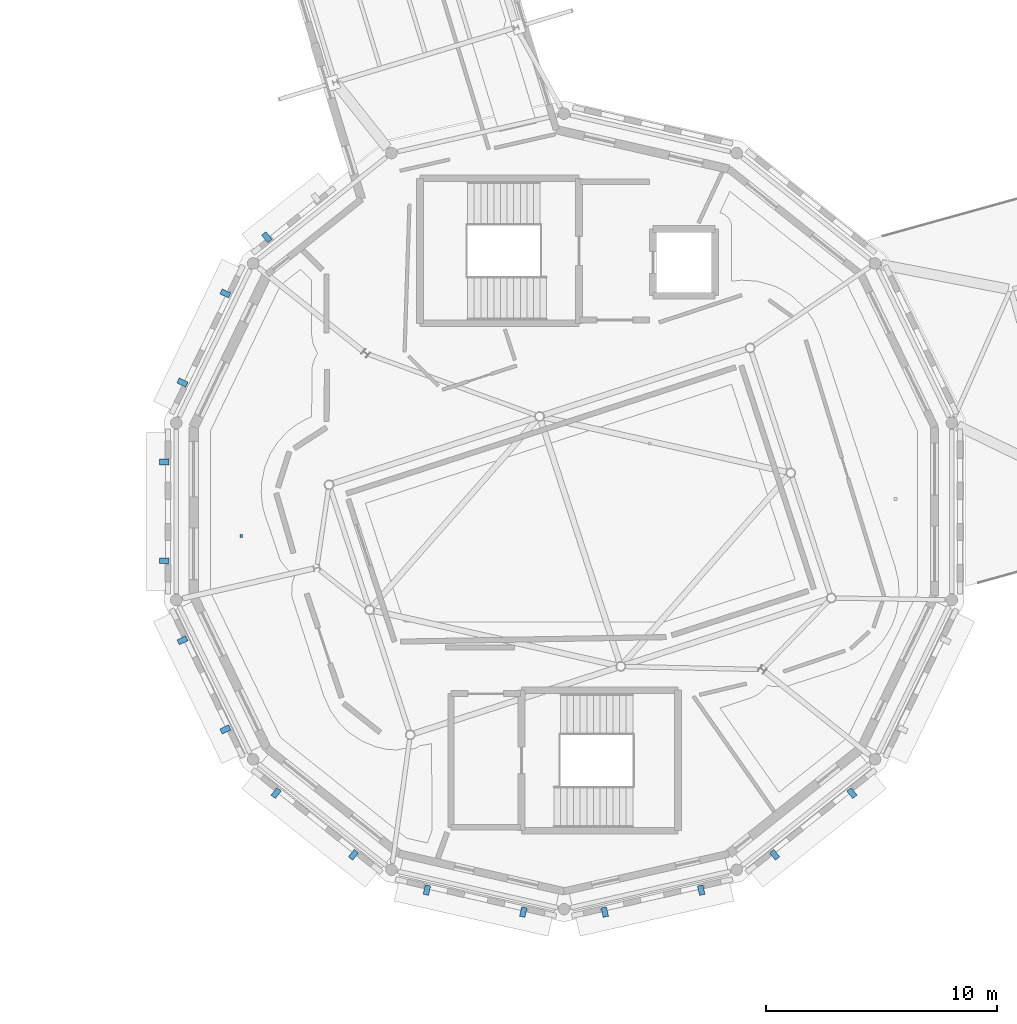
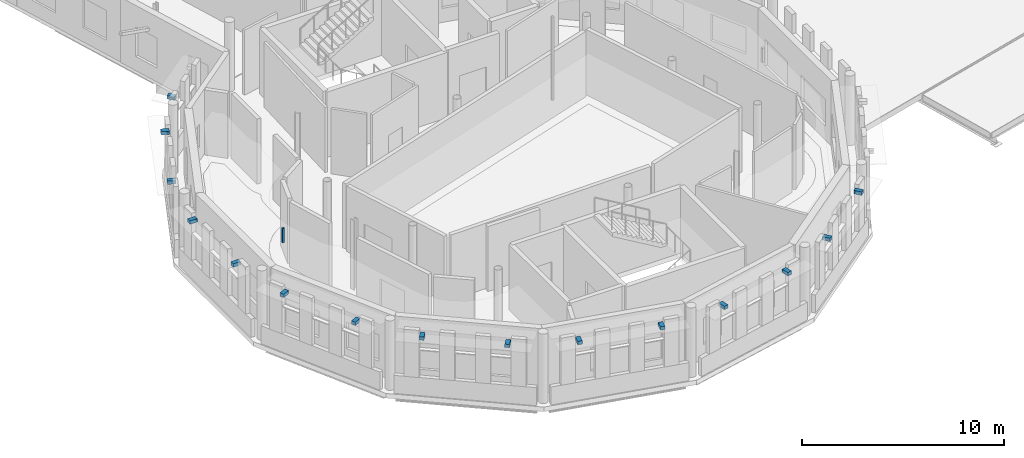
# One storey, part 76 of 90: 16 discrete accessories.
"""IFC4 building model written with IfcOpenShell, lengths in metres."""

from ifc_helpers import new_model, si_unit, direction, frame, origin, origin_2d, place, context, subcontext, project, spatial, rectangle, extrude, material, type_object, element, save


model = new_model("IFC4")

# Units and contexts
model_context = context("Model", 3, precision=1e-05, world=origin(), true_north=direction((0.0, 1.0)))
body_context = subcontext(model_context, "Body", "Model", "MODEL_VIEW")
ifc_project = project(units=[si_unit("LENGTHUNIT", "METRE"), si_unit("AREAUNIT", "SQUARE_METRE"), si_unit("VOLUMEUNIT", "CUBIC_METRE"), si_unit("PLANEANGLEUNIT", "RADIAN"), si_unit("MASSUNIT", "GRAM", prefix="KILO")], contexts=[model_context])

# Site, building, storey
site_placement = place(None, origin())
site = spatial("IfcSite", under=ifc_project, at=site_placement, CompositionType="ELEMENT")
building_placement = place(site_placement, origin())
building = spatial("IfcBuilding", under=site, at=building_placement, Name="Wrenclough Park School", CompositionType="ELEMENT")
storey_placement = place(building_placement, frame((0.0, 0.0, 8.39990234375)))
storey = spatial("IfcBuildingStorey", under=building, at=storey_placement, Name="L02", CompositionType="ELEMENT", Elevation=8.39990234375)

# Discrete accessories
ifc_material_1 = material(Name="Austenitic stainless steel Grade 1.4401", Category="steel")
discrete_accessory_type_1 = type_object("IfcDiscreteAccessoryType", Name="ENV-BRK-01", PredefinedType="BRACKET", material=ifc_material_1)
for number, where, z_axis, x_axis, name in (
    (1, (23.609375, 35.390625, 3.5400390625), (0.0, 0.0, 1.0), (-0.781831365405, -0.623489948652, 0.0), "Brise-soleil stainless outrigger bracket 0100"),
    (2, (21.81298828125, 32.952392578125, 3.5400390625), (0.0, 0.0, 1.0), (-0.43387157134, -0.900974727494, 0.0), "Brise-soleil stainless outrigger bracket 0101"),
    (3, (19.952392578125, 29.0888671875, 3.5400390625), (0.0, 0.0, 1.0), (-0.43387157134, -0.900974727494, 0.0), "Brise-soleil stainless outrigger bracket 0102"),
    (4, (19.166259765625, 25.643798828125, 3.5400390625), (0.0, 0.0, 1.0), (0.0, -1.0, 0.0), "Brise-soleil stainless outrigger bracket 0103"),
    (5, (19.166259765625, 21.356201171875, 3.5400390625), (0.0, 0.0, 1.0), (0.0, -1.0, 0.0), "Brise-soleil stainless outrigger bracket 0104"),
    (6, (19.952392578125, 17.9111328125, 3.5400390625), (0.0, 0.0, 1.0), (0.433882929518, -0.900969257785, 0.0), "Brise-soleil stainless outrigger bracket 0105"),
    (7, (21.81298828125, 14.047607421875, 3.5400390625), (0.0, 0.0, 1.0), (0.433882929518, -0.900969257785, 0.0), "Brise-soleil stainless outrigger bracket 0106"),
    (8, (24.015869140625, 11.284912109375, 3.5400390625), (0.0, 0.0, 1.0), (0.781831588169, -0.623489669314, 0.0), "Brise-soleil stainless outrigger bracket 0107"),
    (9, (27.36865234375, 8.611083984375, 3.5400390625), (0.0, 0.0, 1.0), (0.781831588169, -0.623489669314, 0.0), "Brise-soleil stainless outrigger bracket 0108"),
    (10, (30.55224609375, 7.078125, 3.5400390625), (0.0, 0.0, 1.0), (0.97492627853, -0.222528091331, 0.0), "Brise-soleil stainless outrigger bracket 0109"),
    (11, (34.733154296875, 6.123779296875, 3.5400390625), (0.0, 0.0, 1.0), (0.97492627853, -0.222528091331, 0.0), "Brise-soleil stainless outrigger bracket 0110"),
    (12, (38.2666015625, 6.123779296875, 3.5400390625), (0.0, 0.0, 1.0), (0.974929149471, 0.222515512969, 0.0), "Brise-soleil stainless outrigger bracket 0111"),
    (13, (42.447021484375, 7.077880859375, 3.5400390625), (0.0, 0.0, 1.0), (0.974929149471, 0.222515512969, 0.0), "Brise-soleil stainless outrigger bracket 0112"),
    (14, (45.630859375, 8.61083984375, 3.5400390625), (0.0, 0.0, 1.0), (0.781830120845, 0.623491509276, 0.0), "Brise-soleil stainless outrigger bracket 0113"),
    (15, (48.98388671875, 11.284912109375, 3.5400390625), (0.0, 0.0, 1.0), (0.781830120845, 0.623491509276, 0.0), "Brise-soleil stainless outrigger bracket 0114"),
):
    element("IfcDiscreteAccessory", number, at=place(storey_placement, frame(where, z_axis=z_axis, x_axis=x_axis)), inside=storey, type_object=discrete_accessory_type_1, Name=name, PredefinedType="BRACKET", context=body_context, shape_type="SweptSolid", body=[
        extrude(rectangle(XDim=0.239990234375, YDim=0.419921875, at=origin_2d()), origin(), (0.0, 0.0, 1.0), 0.199951171875),
    ])
ifc_material_2 = material(Name="Galvanised steel acoustic ceiling suspension hanger", Category="steel")
discrete_accessory_type_2 = type_object("IfcDiscreteAccessoryType", Name="INT-BRK-HGR", PredefinedType="BRACKET", material=ifc_material_2)
discrete_accessory_placement = place(storey_placement, frame((22.499755859375, 22.438232421875, 3.09033203125), z_axis=(0.0, 0.0, 1.0), x_axis=(1.0, 0.0, 0.0)))
element("IfcDiscreteAccessory", 16, at=discrete_accessory_placement, inside=storey, type_object=discrete_accessory_type_2, Name="Acoustic ceiling hanger bracket 0049", PredefinedType="BRACKET", context=body_context, shape_type="SweptSolid", body=[
    extrude(rectangle(XDim=0.1201171875, YDim=0.1201171875, at=origin_2d()), origin(), (0.0, 0.0, 1.0), 0.864990234375),
])

save(model, "model.ifc")
